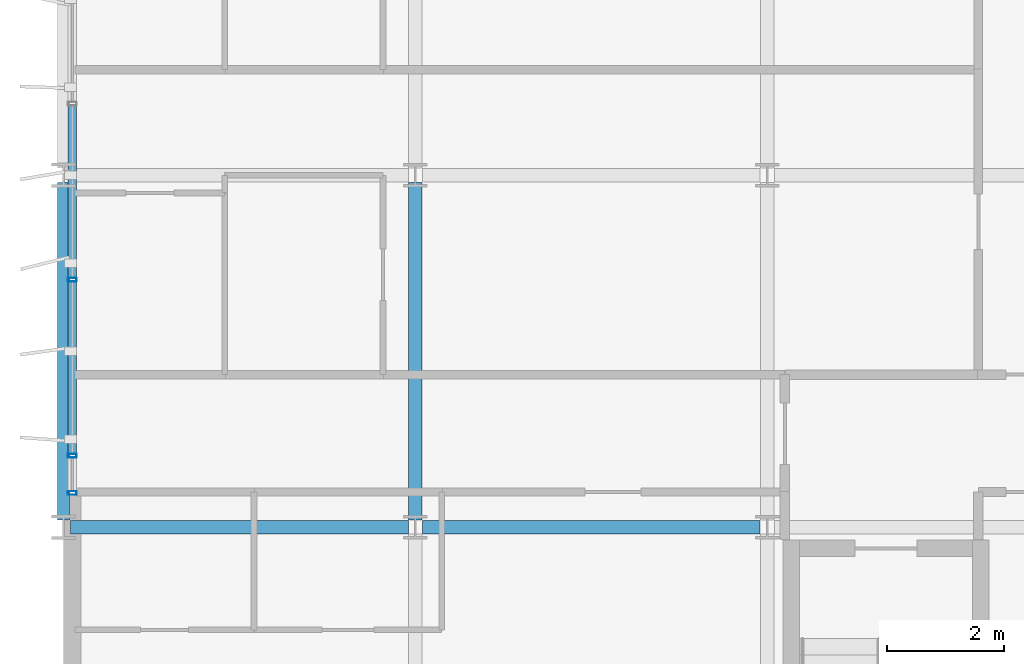
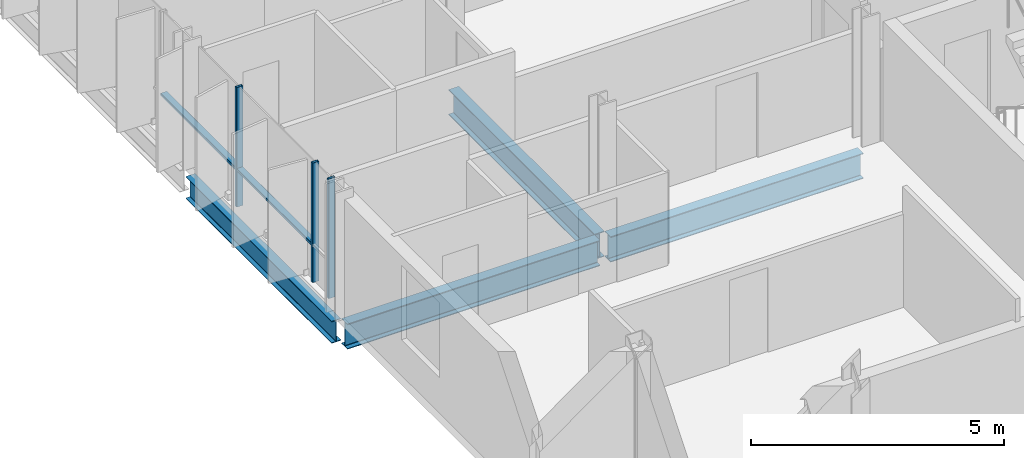
# One storey, part 4 of 40: 5 members, 4 beams, 1 element without a shape of its own.
"""IFC4 building model written with IfcOpenShell, lengths in metres."""

from ifc_helpers import new_model, si_unit, direction, frame, origin, origin_2d, place, context, subcontext, project, spatial, hollow_rectangle, i_section, extrude, material, layer, layer_set, material_profile, profile_set, type_object, element, aggregate, save


model = new_model("IFC4")

# Units and contexts
model_context = context("Model", 3, precision=1e-05, world=origin(), true_north=direction((0.0, 1.0)))
body_context = subcontext(model_context, "Body", "Model", "MODEL_VIEW")
ifc_project = project(units=[si_unit("LENGTHUNIT", "METRE"), si_unit("AREAUNIT", "SQUARE_METRE"), si_unit("VOLUMEUNIT", "CUBIC_METRE"), si_unit("PLANEANGLEUNIT", "RADIAN"), si_unit("MASSUNIT", "GRAM", prefix="KILO")], contexts=[model_context])

# Site, building, storey
site_placement = place(None, origin())
site = spatial("IfcSite", under=ifc_project, at=site_placement, CompositionType="ELEMENT")
building_placement = place(site_placement, origin())
building = spatial("IfcBuilding", under=site, at=building_placement, Name="Brevholm Reach", CompositionType="ELEMENT")
storey_placement = place(building_placement, frame((0.0, 0.0, 148.0)))
storey = spatial("IfcBuildingStorey", under=building, at=storey_placement, Name="L44", CompositionType="ELEMENT", Elevation=148.0)

# Beams
ifc_material_1 = material(Name="Structural Steel S355J2", Category="steel")
ifc_material_profile_1 = material_profile(ifc_material_1, i_section(OverallWidth=0.209228515625, OverallDepth=0.533203125, WebThickness=0.010009765625, FlangeThickness=0.015625, FilletRadius=0.0126953125, at=origin_2d()), Name="UKB 533x210x92")
ifc_profile_set_1 = profile_set([ifc_material_profile_1], Name="Structural Steel S355J2")
beam_type_1 = type_object("IfcBeamType", Name="BM-SP533", PredefinedType="SPANDREL", material=ifc_profile_set_1)
beam_placement = place(storey_placement, frame((0.0, 10.1201171875, -0.486572265625), z_axis=(0.0, 1.0, 0.0), x_axis=(-1.0, 0.0, 0.0)))
element("IfcBeam", 1, at=beam_placement, inside=storey, type_object=beam_type_1, Name="L44 SP-02 Framing Beam", PredefinedType="SPANDREL", context=body_context, shape_type="SweptSolid", body=[
    extrude(i_section(OverallWidth=0.209228515625, OverallDepth=0.533203125, WebThickness=0.010009765625, FlangeThickness=0.015625, FilletRadius=0.0126953125, at=origin_2d()), origin(), (0.0, 0.0, 1.0), 5.759765625),
])
ifc_material_2 = material(Name="Structural Steel S355J2", Category="steel")
ifc_material_profile_2 = material_profile(ifc_material_2, i_section(OverallWidth=0.22900390625, OverallDepth=0.6123046875, WebThickness=0.011962890625, FlangeThickness=0.01953125, FilletRadius=0.0126953125, at=origin_2d()), Name="UKB 610x229x125")
ifc_profile_set_2 = profile_set([ifc_material_profile_2], Name="Structural Steel S355J2")
beam_type_2 = type_object("IfcBeamType", Name="BM-SP610", PredefinedType="SPANDREL", material=ifc_profile_set_2)
for number, where, z_axis, x_axis, name in (
    (2, (0.1201171875, 10.0, -0.526123046875), (1.0, 0.0, 0.0), (0.0, 1.0, 0.0), "L44 SP-01 Framing Beam"),
    (3, (6.1201171875, 10.0, -0.526123046875), (1.0, 0.0, 0.0), (0.0, 1.0, 0.0), "L44 SP-01 Framing Beam"),
    (4, (6.0, 10.1201171875, -0.526123046875), (0.0, 1.0, 0.0), (-1.0, 0.0, 0.0), "L44 SP-01 Framing Beam"),
):
    element("IfcBeam", number, at=place(storey_placement, frame(where, z_axis=z_axis, x_axis=x_axis)), inside=storey, type_object=beam_type_2, Name=name, PredefinedType="SPANDREL", context=body_context, shape_type="SweptSolid", body=[
        extrude(i_section(OverallWidth=0.22900390625, OverallDepth=0.6123046875, WebThickness=0.011962890625, FlangeThickness=0.01953125, FilletRadius=0.0126953125, at=origin_2d()), origin(), (0.0, 0.0, 1.0), 5.759765625),
    ])

# Curtain wall, members
ifc_material_3 = material(Name="Dark Anodised Aluminium 6063-T6 and Solar-Control Glass", Category="aluminium")
ifc_layer = layer(ifc_material_3, 0.14990234375)
ifc_layer_set = layer_set([ifc_layer], Name="Dark Anodised Aluminium 6063-T6 and Solar-Control Glass")
curtain_wall_type = type_object("IfcCurtainWallType", Name="CW-01", PredefinedType="NOTDEFINED", material=ifc_layer_set)
curtain_wall_placement = place(storey_placement, origin())
curtain_wall = element("IfcCurtainWall", 5, at=curtain_wall_placement, inside=storey, type_object=curtain_wall_type, Name="L44 Curtain Wall CW-01", PredefinedType="NOTDEFINED")
ifc_material_4 = material(Name="Dark Anodised Aluminium 6063-T6", Category="aluminium")
ifc_material_profile_3 = material_profile(ifc_material_4, hollow_rectangle(XDim=0.06494140625, YDim=0.14990234375, WallThickness=0.0048828125, InnerFilletRadius=0.0048828125, OuterFilletRadius=0.010009765625, at=origin_2d()), Name="RHS 150x65x5")
ifc_profile_set_3 = profile_set([ifc_material_profile_3], Name="Dark Anodised Aluminium 6063-T6")
member_type_1 = type_object("IfcMemberType", Name="CWM-150", PredefinedType="MULLION", material=ifc_profile_set_3)
member_1_placement = place(storey_placement, frame((0.14990234375, 14.219970703125, 0.0), z_axis=(0.0, 0.0, 1.0), x_axis=(0.0, -1.0, 0.0)))
member_1 = element("IfcMember", 6, at=member_1_placement, type_object=member_type_1, Name="CM-150 Mullion 4", PredefinedType="MULLION", context=body_context, shape_type="SweptSolid", body=[
    extrude(hollow_rectangle(XDim=0.06494140625, YDim=0.14990234375, WallThickness=0.0048828125, InnerFilletRadius=0.0048828125, OuterFilletRadius=0.010009765625, at=origin_2d()), origin(), (0.0, 0.0, 1.0), 2.8798828125),
])
member_2_placement = place(storey_placement, frame((0.14990234375, 11.219970703125, 0.0), z_axis=(0.0, 0.0, 1.0), x_axis=(0.0, -1.0, 0.0)))
member_2 = element("IfcMember", 7, at=member_2_placement, type_object=member_type_1, Name="CM-150 Mullion 5", PredefinedType="MULLION", context=body_context, shape_type="SweptSolid", body=[
    extrude(hollow_rectangle(XDim=0.06494140625, YDim=0.14990234375, WallThickness=0.0048828125, InnerFilletRadius=0.0048828125, OuterFilletRadius=0.010009765625, at=origin_2d()), origin(), (0.0, 0.0, 1.0), 2.8798828125),
])
member_3_placement = place(storey_placement, frame((0.14990234375, 10.58251953125, 0.0), z_axis=(0.0, 0.0, 1.0), x_axis=(0.0, -1.0, 0.0)))
member_3 = element("IfcMember", 8, at=member_3_placement, type_object=member_type_1, Name="CM-150 Mullion 6", PredefinedType="MULLION", context=body_context, shape_type="SweptSolid", body=[
    extrude(hollow_rectangle(XDim=0.06494140625, YDim=0.14990234375, WallThickness=0.0048828125, InnerFilletRadius=0.0048828125, OuterFilletRadius=0.010009765625, at=origin_2d()), origin(), (0.0, 0.0, 1.0), 2.8798828125),
])
ifc_material_5 = material(Name="Dark Anodised Aluminium 6063-T6", Category="aluminium")
ifc_material_profile_4 = material_profile(ifc_material_5, hollow_rectangle(XDim=0.06494140625, YDim=0.14990234375, WallThickness=0.0048828125, InnerFilletRadius=0.0048828125, OuterFilletRadius=0.010009765625, at=origin_2d()), Name="RHS 150x65x5")
ifc_profile_set_4 = profile_set([ifc_material_profile_4], Name="Dark Anodised Aluminium 6063-T6")
member_type_2 = type_object("IfcMemberType", Name="CWT-150", PredefinedType="NOTDEFINED", material=ifc_profile_set_4)
member_4_placement = place(storey_placement, frame((0.14990234375, 17.1875, 0.89990234375), z_axis=(0.0, -1.0, 0.0), x_axis=(0.0, 0.0, 1.0)))
member_4 = element("IfcMember", 9, at=member_4_placement, type_object=member_type_2, Name="CT-150 Transom 3.1", ObjectType="TRANSOM", PredefinedType="USERDEFINED", context=body_context, shape_type="SweptSolid", body=[
    extrude(hollow_rectangle(XDim=0.06494140625, YDim=0.14990234375, WallThickness=0.0048828125, InnerFilletRadius=0.0048828125, OuterFilletRadius=0.010009765625, at=origin_2d()), origin(), (0.0, 0.0, 1.0), 2.93505859375),
])
member_5_placement = place(storey_placement, frame((0.14990234375, 14.1875, 0.89990234375), z_axis=(0.0, -1.0, 0.0), x_axis=(0.0, 0.0, 1.0)))
member_5 = element("IfcMember", 10, at=member_5_placement, type_object=member_type_2, Name="CT-150 Transom 4.1", ObjectType="TRANSOM", PredefinedType="USERDEFINED", context=body_context, shape_type="SweptSolid", body=[
    extrude(hollow_rectangle(XDim=0.06494140625, YDim=0.14990234375, WallThickness=0.0048828125, InnerFilletRadius=0.0048828125, OuterFilletRadius=0.010009765625, at=origin_2d()), origin(), (0.0, 0.0, 1.0), 2.93505859375),
])
aggregate(curtain_wall, [member_1, member_2, member_3, member_4, member_5])

save(model, "model.ifc")
